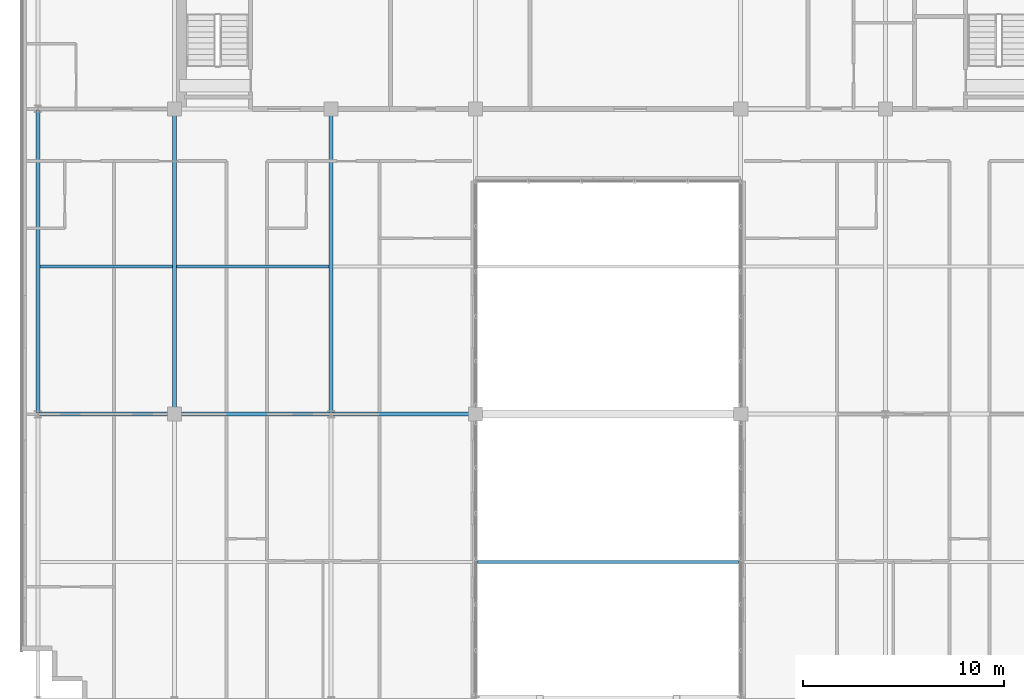
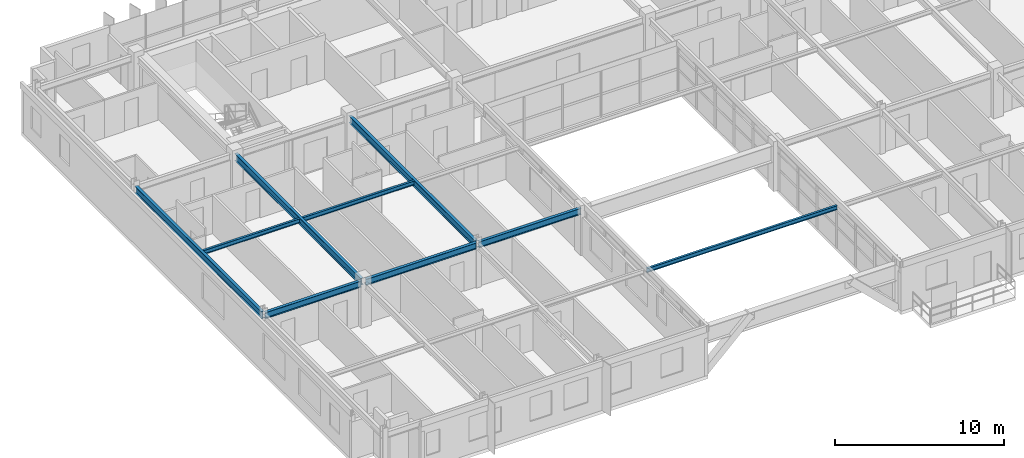
# One storey, part 8 of 37: 9 beams.
"""IFC4 building model written with IfcOpenShell, lengths in metres."""

import ifcopenshell
import ifcopenshell.guid

model = None  # the IFC model being written
_history = None  # IfcOwnerHistory: only IFC2X3 demands one
_inside = {}  # id of a spatial element -> (the spatial element, [elements in it])
_under = {}  # id of a project, library or spatial element -> (it, [spatial elements below it])
_declared = {}  # id of a project -> (the project, [libraries it declares])
_typed = {}  # id of a type object -> (the type object, [elements of that type])
_made_of = {}  # id of a material, layer set ... -> (it, [elements and type objects made of it])


def new_model(schema):
    """Start an empty IFC model of exactly this schema.

    Asked for "IFC4X3", IfcOpenShell would pick the latest addendum, in which some entities
    have other attributes; the version numbers below select the first issue.
    IFC2X3 requires an IfcOwnerHistory on every rooted entity: one is made here for all.
    """
    global model, _history
    if schema == "IFC4X3":
        model = ifcopenshell.file(schema_version=(4, 3, 0, 0))
    else:
        model = ifcopenshell.file(schema=schema)
    _inside.clear()
    _under.clear()
    _declared.clear()
    _typed.clear()
    _made_of.clear()
    _history = None
    if model.schema == "IFC2X3":
        org = make("IfcOrganization", Name="unknown")
        user = make(
            "IfcPersonAndOrganization",
            ThePerson=make("IfcPerson", FamilyName="unknown"),
            TheOrganization=org,
        )
        app = make(
            "IfcApplication",
            ApplicationDeveloper=org,
            Version="unknown",
            ApplicationFullName="unknown",
            ApplicationIdentifier="unknown",
        )
        _history = make(
            "IfcOwnerHistory",
            OwningUser=user,
            OwningApplication=app,
            ChangeAction="ADDED",
            CreationDate=0,
        )
    return model


def make(cls, **values):
    """One entity of the class cls with the attributes given. An attribute that is None is left unset."""
    return model.create_entity(
        cls, **{name: value for name, value in values.items() if value is not None}
    )


def rooted(cls, **values):
    """An entity with a GlobalId (a new one), such as an element, a storey or a relation."""
    return make(cls, GlobalId=ifcopenshell.guid.new(), OwnerHistory=_history, **values)


def si_unit(unit_type, name, prefix=None):
    """IfcSIUnit, for example si_unit("LENGTHUNIT", "METRE", prefix="MILLI")."""
    return make("IfcSIUnit", UnitType=unit_type, Prefix=prefix, Name=name)


def assignment(units):
    """IfcUnitAssignment: the units of a project."""
    return None if units is None else make("IfcUnitAssignment", Units=units)


def point(xyz):
    """IfcCartesianPoint."""
    return None if xyz is None else make("IfcCartesianPoint", Coordinates=xyz)


def direction(xyz):
    """IfcDirection."""
    return None if xyz is None else make("IfcDirection", DirectionRatios=xyz)


def frame(location, z_axis=None, x_axis=None):
    """IfcAxis2Placement3D, a coordinate frame: its origin and axes. An axis left out is left unset."""
    return make(
        "IfcAxis2Placement3D",
        Location=point(location),
        Axis=direction(z_axis),
        RefDirection=direction(x_axis),
    )


def frame_2d(location, x_axis=None):
    """IfcAxis2Placement2D, a coordinate frame in the plane: its origin and x axis."""
    return make(
        "IfcAxis2Placement2D", Location=point(location), RefDirection=direction(x_axis)
    )


def origin():
    """The frame at (0, 0, 0) with its axes left unset."""
    return frame((0.0, 0.0, 0.0))


def origin_2d():
    """The frame at (0, 0) in the plane with its x axis left unset."""
    return frame_2d((0.0, 0.0))


def place(relative_to, where):
    """IfcLocalPlacement: puts the frame where relative to a parent placement (None: the world)."""
    return make(
        "IfcLocalPlacement", PlacementRelTo=relative_to, RelativePlacement=where
    )


def context(
    kind, dimensions, precision=None, world=None, true_north=None, identifier=None
):
    """IfcGeometricRepresentationContext, for example the 3D "Model" context."""
    return make(
        "IfcGeometricRepresentationContext",
        ContextIdentifier=identifier,
        ContextType=kind,
        CoordinateSpaceDimension=dimensions,
        Precision=precision,
        WorldCoordinateSystem=world,
        TrueNorth=true_north,
    )


def subcontext(parent, identifier, kind, view, scale=None):
    """IfcGeometricRepresentationSubContext, for example "Body" below "Model"."""
    return make(
        "IfcGeometricRepresentationSubContext",
        ContextIdentifier=identifier,
        ContextType=kind,
        ParentContext=parent,
        TargetScale=scale,
        TargetView=view,
    )


def project(units=None, contexts=None):
    """IfcProject with its units and contexts."""
    return rooted(
        "IfcProject",
        Name="project",
        RepresentationContexts=contexts,
        UnitsInContext=assignment(units),
    )


def spatial(cls, under=None, at=None, **own):
    """A site, building, storey or space (cls), placed at a placement, below another one or the project."""
    s = rooted(cls, ObjectPlacement=at, **own)
    if under is not None:
        _under.setdefault(under.id(), (under, []))[1].append(s)
    return s


def profile(cls, at=None, kind="AREA", **sizes):
    """A parametric profile (cls). Its sizes go by their IFC names, for example OverallWidth=200.0."""
    return make(cls, ProfileType=kind, Position=at, **sizes)


def i_section(**sizes):
    """IfcIShapeProfileDef."""
    return profile("IfcIShapeProfileDef", **sizes)


def extrude(swept, where, along, depth):
    """IfcExtrudedAreaSolid: the profile swept, set in the frame where, extruded along a direction by depth."""
    return make(
        "IfcExtrudedAreaSolid",
        SweptArea=swept,
        Position=where,
        ExtrudedDirection=direction(along),
        Depth=depth,
    )


def shape(context_of_items, identifier, shape_type, items):
    """IfcShapeRepresentation: the items that make up one representation, for example the "Body"."""
    return make(
        "IfcShapeRepresentation",
        ContextOfItems=context_of_items,
        RepresentationIdentifier=identifier,
        RepresentationType=shape_type,
        Items=items,
    )


def source(mapping_origin, context_of_items, identifier, shape_type, items):
    """IfcRepresentationMap: a shape defined once, which mapped items show again and again."""
    return make(
        "IfcRepresentationMap",
        MappingOrigin=mapping_origin,
        MappedRepresentation=shape(context_of_items, identifier, shape_type, items),
    )


def transform(
    local_origin,
    x_axis=None,
    y_axis=None,
    z_axis=None,
    scale=None,
    scale2=None,
    scale3=None,
    uniform=True,
):
    """IfcCartesianTransformationOperator3D, or its non-uniform kind. x_axis, y_axis, z_axis: its Axis1, 2, 3."""
    if uniform:
        return make(
            "IfcCartesianTransformationOperator3D",
            Axis1=direction(x_axis),
            Axis2=direction(y_axis),
            LocalOrigin=point(local_origin),
            Scale=scale,
            Axis3=direction(z_axis),
        )
    return make(
        "IfcCartesianTransformationOperator3DnonUniform",
        Axis1=direction(x_axis),
        Axis2=direction(y_axis),
        LocalOrigin=point(local_origin),
        Scale=scale,
        Axis3=direction(z_axis),
        Scale2=scale2,
        Scale3=scale3,
    )


def mapped(mapping_source, mapping_target):
    """IfcMappedItem: shows the shape of a source again, moved by a transform."""
    return make(
        "IfcMappedItem", MappingSource=mapping_source, MappingTarget=mapping_target
    )


def material(Name=None, Category=None):
    """IfcMaterial."""
    return make("IfcMaterial", Name=Name, Category=Category)


def material_profile(
    of_material, cross_section, Name=None, Category=None, Priority=None
):
    """IfcMaterialProfile: a cross section and its material."""
    return make(
        "IfcMaterialProfile",
        Name=Name,
        Material=of_material,
        Profile=cross_section,
        Priority=Priority,
        Category=Category,
    )


def profile_set(profiles, Name=None, composite=None):
    """IfcMaterialProfileSet."""
    return make(
        "IfcMaterialProfileSet",
        Name=Name,
        MaterialProfiles=profiles,
        CompositeProfile=composite,
    )


def made_of(thing, what):
    """Note that an element or type object is made of a material, layer set ...; save() writes the relation."""
    if what is not None:
        _made_of.setdefault(what.id(), (what, []))[1].append(thing)
    return thing


def type_object(cls, material=None, **own):
    """A type object (cls), such as IfcWallType, which elements share."""
    return made_of(rooted(cls, **own), material)


def element(
    cls,
    number,
    at=None,
    inside=None,
    cuts=None,
    type_object=None,
    material=None,
    context=None,
    identifier="Body",
    shape_type=None,
    held_by="IfcProductDefinitionShape",
    body=None,
    shapes=None,
    **own,
):
    """One element of the class cls, such as IfcWall. Its Tag is "e" and its number.

    at: its placement. inside: the storey or other place that contains it. cuts: it is an
    opening in that element (IfcRelVoidsElement). A single representation is given by context,
    identifier, shape_type and body (its items); several are given by shapes. held_by: the class
    of the entity that holds the representations. save() writes the other relations.
    """
    e = rooted(cls, Tag="e%d" % number, ObjectPlacement=at, **own)
    if body is not None:
        shapes = [shape(context, identifier, shape_type, body)]
    if shapes is not None:
        e.Representation = make(held_by, Representations=shapes)
    if inside is not None:
        _inside.setdefault(inside.id(), (inside, []))[1].append(e)
    if cuts is not None:
        rooted(
            "IfcRelVoidsElement", RelatingBuildingElement=cuts, RelatedOpeningElement=e
        )
    if type_object is not None:
        _typed.setdefault(type_object.id(), (type_object, []))[1].append(e)
    return made_of(e, material)


def aggregate(whole, parts):
    """IfcRelAggregates: a whole, such as a stair, and the parts it consists of."""
    return rooted("IfcRelAggregates", RelatingObject=whole, RelatedObjects=parts)


def save(model, path):
    """Write the relations noted so far, then the file.

    IfcRelAggregates (storeys below a building ...), IfcRelContainedInSpatialStructure (elements
    in a storey), IfcRelDefinesByType, IfcRelAssociatesMaterial and IfcRelDeclares: one each for
    every whole, place, type object, material and project.
    """
    for whole, parts in _under.values():
        aggregate(whole, parts)
    for where, things in _inside.values():
        rooted(
            "IfcRelContainedInSpatialStructure",
            RelatedElements=things,
            RelatingStructure=where,
        )
    for kind, things in _typed.values():
        rooted("IfcRelDefinesByType", RelatedObjects=things, RelatingType=kind)
    for what, things in _made_of.values():
        rooted("IfcRelAssociatesMaterial", RelatedObjects=things, RelatingMaterial=what)
    for by, libraries in _declared.values():
        rooted("IfcRelDeclares", RelatingContext=by, RelatedDefinitions=libraries)
    model.write(path)


model = new_model("IFC4")

# Units and contexts
model_context = context("Model", 3, precision=1e-05, world=origin(), true_north=direction((0.0, 1.0)))
body_context = subcontext(model_context, "Body", "Model", "MODEL_VIEW")
ifc_project = project(units=[si_unit("LENGTHUNIT", "METRE"), si_unit("AREAUNIT", "SQUARE_METRE"), si_unit("VOLUMEUNIT", "CUBIC_METRE"), si_unit("PLANEANGLEUNIT", "RADIAN"), si_unit("MASSUNIT", "GRAM", prefix="KILO")], contexts=[model_context])

# Site, building, storey
site_placement = place(None, origin())
site = spatial("IfcSite", under=ifc_project, at=site_placement, CompositionType="ELEMENT")
building_placement = place(site_placement, origin())
building = spatial("IfcBuilding", under=site, at=building_placement, Name="Trelvane Seafront Commons", CompositionType="ELEMENT")
storey_placement = place(building_placement, frame((0.0, 0.0, 201.300048828125)))
storey = spatial("IfcBuildingStorey", under=building, at=storey_placement, Name="L52", CompositionType="ELEMENT", Elevation=201.300048828125)

# Beams
ifc_material = material(Name="Steel SM355 (S355)", Category="steel")
ifc_material_profile_1 = material_profile(ifc_material, i_section(OverallWidth=0.199951171875, OverallDepth=0.5, WebThickness=0.010009765625, FlangeThickness=0.01611328125, at=origin_2d()), Name="H-500x200x10x16")
ifc_profile_set_1 = profile_set([ifc_material_profile_1], Name="Steel SM355 (S355)")
beam_type_1 = type_object("IfcBeamType", Name="STR-BM-H500", PredefinedType="BEAM", material=ifc_profile_set_1)
shared_shape_1 = source(origin(), body_context, "Body", "SweptSolid", [
    extrude(i_section(OverallWidth=0.199951171875, OverallDepth=0.5, WebThickness=0.010009765625, FlangeThickness=0.01611328125, at=origin_2d()), origin(), (0.0, 0.0, 1.0), 14.89990234375),
])
beam_1_placement = place(storey_placement, frame((15.60009765625, 18.35009765625, 2.969970703125), z_axis=(0.0, 1.0, 0.0), x_axis=(-1.0, 0.0, 0.0)))
element("IfcBeam", 1, at=beam_1_placement, inside=storey, type_object=beam_type_1, Name="L52 Primary Girder G-33", PredefinedType="BEAM", context=body_context, shape_type="MappedRepresentation", body=[
    mapped(shared_shape_1, transform((0.0, 0.0, 0.0), x_axis=(1.0, 0.0, 0.0), y_axis=(0.0, 1.0, 0.0), z_axis=(0.0, 0.0, 1.0), scale=1.0)),
])
ifc_material_profile_2 = material_profile(ifc_material, i_section(OverallWidth=0.199951171875, OverallDepth=0.449951171875, WebThickness=0.009033203125, FlangeThickness=0.013916015625, at=origin_2d()), Name="H-450x200x9x14")
ifc_profile_set_2 = profile_set([ifc_material_profile_2], Name="Steel SM355 (S355)")
beam_type_2 = type_object("IfcBeamType", Name="STR-SPD-H450", PredefinedType="SPANDREL", material=ifc_profile_set_2)
shared_shape_2 = source(origin(), body_context, "Body", "SweptSolid", [
    extrude(i_section(OverallWidth=0.199951171875, OverallDepth=0.449951171875, WebThickness=0.009033203125, FlangeThickness=0.013916015625, at=origin_2d()), origin(), (0.0, 0.0, 1.0), 6.5625),
])
beam_2_placement = place(storey_placement, frame((8.887451171875, 18.199951171875, 2.994873046875), z_axis=(1.0, 0.0, 0.0), x_axis=(0.0, 1.0, 0.0)))
element("IfcBeam", 2, at=beam_2_placement, inside=storey, type_object=beam_type_2, Name="L52 Primary Girder G-08", PredefinedType="SPANDREL", context=body_context, shape_type="MappedRepresentation", body=[
    mapped(shared_shape_2, transform((0.0, 0.0, 0.0), x_axis=(1.0, 0.0, 0.0), y_axis=(0.0, 1.0, 0.0), z_axis=(0.0, 0.0, 1.0), scale=1.0)),
])
shared_shape_3 = source(origin(), body_context, "Body", "SweptSolid", [
    extrude(i_section(OverallWidth=0.199951171875, OverallDepth=0.449951171875, WebThickness=0.009033203125, FlangeThickness=0.013916015625, at=origin_2d()), origin(), (0.0, 0.0, 1.0), 7.5625),
])
beam_3_placement = place(storey_placement, frame((15.75, 18.199951171875, 2.994873046875), z_axis=(1.0, 0.0, 0.0), x_axis=(0.0, 1.0, 0.0)))
element("IfcBeam", 3, at=beam_3_placement, inside=storey, type_object=beam_type_2, Name="L52 Primary Girder G-09", PredefinedType="SPANDREL", context=body_context, shape_type="MappedRepresentation", body=[
    mapped(shared_shape_3, transform((0.0, 0.0, 0.0), x_axis=(1.0, 0.0, 0.0), y_axis=(0.0, 1.0, 0.0), z_axis=(0.0, 0.0, 1.0), scale=1.0)),
])
shared_shape_4 = source(origin(), body_context, "Body", "SweptSolid", [
    extrude(i_section(OverallWidth=0.199951171875, OverallDepth=0.449951171875, WebThickness=0.009033203125, FlangeThickness=0.013916015625, at=origin_2d()), origin(), (0.0, 0.0, 1.0), 6.96240234375),
])
beam_4_placement = place(storey_placement, frame((23.487548828125, 18.199951171875, 2.994873046875), z_axis=(1.0, 0.0, 0.0), x_axis=(0.0, 1.0, 0.0)))
element("IfcBeam", 4, at=beam_4_placement, inside=storey, type_object=beam_type_2, Name="L52 Primary Girder G-10", PredefinedType="SPANDREL", context=body_context, shape_type="MappedRepresentation", body=[
    mapped(shared_shape_4, transform((0.0, 0.0, 0.0), x_axis=(1.0, 0.0, 0.0), y_axis=(0.0, 1.0, 0.0), z_axis=(0.0, 0.0, 1.0), scale=1.0)),
])
shared_shape_5 = source(origin(), body_context, "Body", "SweptSolid", [
    extrude(i_section(OverallWidth=0.199951171875, OverallDepth=0.5, WebThickness=0.010009765625, FlangeThickness=0.01611328125, at=origin_2d()), origin(), (0.0, 0.0, 1.0), 15.02490234375),
])
beam_5_placement = place(storey_placement, frame((8.800048828125, 18.28759765625, 2.969970703125), z_axis=(0.0, 1.0, 0.0), x_axis=(-1.0, 0.0, 0.0)))
element("IfcBeam", 5, at=beam_5_placement, inside=storey, type_object=beam_type_1, Name="L52 Primary Girder G-30", PredefinedType="BEAM", context=body_context, shape_type="MappedRepresentation", body=[
    mapped(shared_shape_5, transform((0.0, 0.0, 0.0), x_axis=(1.0, 0.0, 0.0), y_axis=(0.0, 1.0, 0.0), z_axis=(0.0, 0.0, 1.0), scale=1.0)),
])
shared_shape_6 = source(origin(), body_context, "Body", "SweptSolid", [
    extrude(i_section(OverallWidth=0.199951171875, OverallDepth=0.5, WebThickness=0.010009765625, FlangeThickness=0.01611328125, at=origin_2d()), origin(), (0.0, 0.0, 1.0), 14.96240234375),
])
beam_6_placement = place(storey_placement, frame((23.39990234375, 18.28759765625, 2.969970703125), z_axis=(0.0, 1.0, 0.0), x_axis=(-1.0, 0.0, 0.0)))
element("IfcBeam", 6, at=beam_6_placement, inside=storey, type_object=beam_type_1, Name="L52 Primary Girder G-36", PredefinedType="BEAM", context=body_context, shape_type="MappedRepresentation", body=[
    mapped(shared_shape_6, transform((0.0, 0.0, 0.0), x_axis=(1.0, 0.0, 0.0), y_axis=(0.0, 1.0, 0.0), z_axis=(0.0, 0.0, 1.0), scale=1.0)),
])
ifc_material_profile_3 = material_profile(ifc_material, i_section(OverallWidth=0.14990234375, OverallDepth=0.300048828125, WebThickness=0.006591796875, FlangeThickness=0.009033203125, at=origin_2d()), Name="H-300x150x6.5x9")
ifc_profile_set_3 = profile_set([ifc_material_profile_3], Name="Steel SM355 (S355)")
beam_type_3 = type_object("IfcBeamType", Name="STR-JST-H300", PredefinedType="JOIST", material=ifc_profile_set_3)
shared_shape_7 = source(origin(), body_context, "Body", "SweptSolid", [
    extrude(i_section(OverallWidth=0.14990234375, OverallDepth=0.300048828125, WebThickness=0.006591796875, FlangeThickness=0.009033203125, at=origin_2d()), origin(), (0.0, 0.0, 1.0), 6.60009765625),
])
beam_7_placement = place(storey_placement, frame((8.89990234375, 25.550048828125, 3.070068359375), z_axis=(1.0, 0.0, 0.0), x_axis=(0.0, 1.0, 0.0)))
element("IfcBeam", 7, at=beam_7_placement, inside=storey, type_object=beam_type_3, Name="L52 Secondary Floor Joist B-60", PredefinedType="JOIST", context=body_context, shape_type="MappedRepresentation", body=[
    mapped(shared_shape_7, transform((0.0, 0.0, 0.0), x_axis=(1.0, 0.0, 0.0), y_axis=(0.0, 1.0, 0.0), z_axis=(0.0, 0.0, 1.0), scale=1.0)),
])
shared_shape_8 = source(origin(), body_context, "Body", "SweptSolid", [
    extrude(i_section(OverallWidth=0.14990234375, OverallDepth=0.300048828125, WebThickness=0.006591796875, FlangeThickness=0.009033203125, at=origin_2d()), origin(), (0.0, 0.0, 1.0), 7.60009765625),
])
beam_8_placement = place(storey_placement, frame((15.699951171875, 25.550048828125, 3.070068359375), z_axis=(1.0, 0.0, 0.0), x_axis=(0.0, 1.0, 0.0)))
element("IfcBeam", 8, at=beam_8_placement, inside=storey, type_object=beam_type_3, Name="L52 Secondary Floor Joist B-61", PredefinedType="JOIST", context=body_context, shape_type="MappedRepresentation", body=[
    mapped(shared_shape_8, transform((0.0, 0.0, 0.0), x_axis=(1.0, 0.0, 0.0), y_axis=(0.0, 1.0, 0.0), z_axis=(0.0, 0.0, 1.0), scale=1.0)),
])
shared_shape_9 = source(origin(), body_context, "Body", "SweptSolid", [
    extrude(i_section(OverallWidth=0.14990234375, OverallDepth=0.300048828125, WebThickness=0.006591796875, FlangeThickness=0.009033203125, at=origin_2d()), origin(), (0.0, 0.0, 1.0), 13.0),
])
beam_9_placement = place(storey_placement, frame((30.699951171875, 10.824951171875, 3.070068359375), z_axis=(1.0, 0.0, 0.0), x_axis=(0.0, 1.0, 0.0)))
element("IfcBeam", 9, at=beam_9_placement, inside=storey, type_object=beam_type_3, Name="L52 Secondary Floor Joist B-56", PredefinedType="JOIST", context=body_context, shape_type="MappedRepresentation", body=[
    mapped(shared_shape_9, transform((0.0, 0.0, 0.0), x_axis=(1.0, 0.0, 0.0), y_axis=(0.0, 1.0, 0.0), z_axis=(0.0, 0.0, 1.0), scale=1.0)),
])

save(model, "model.ifc")
